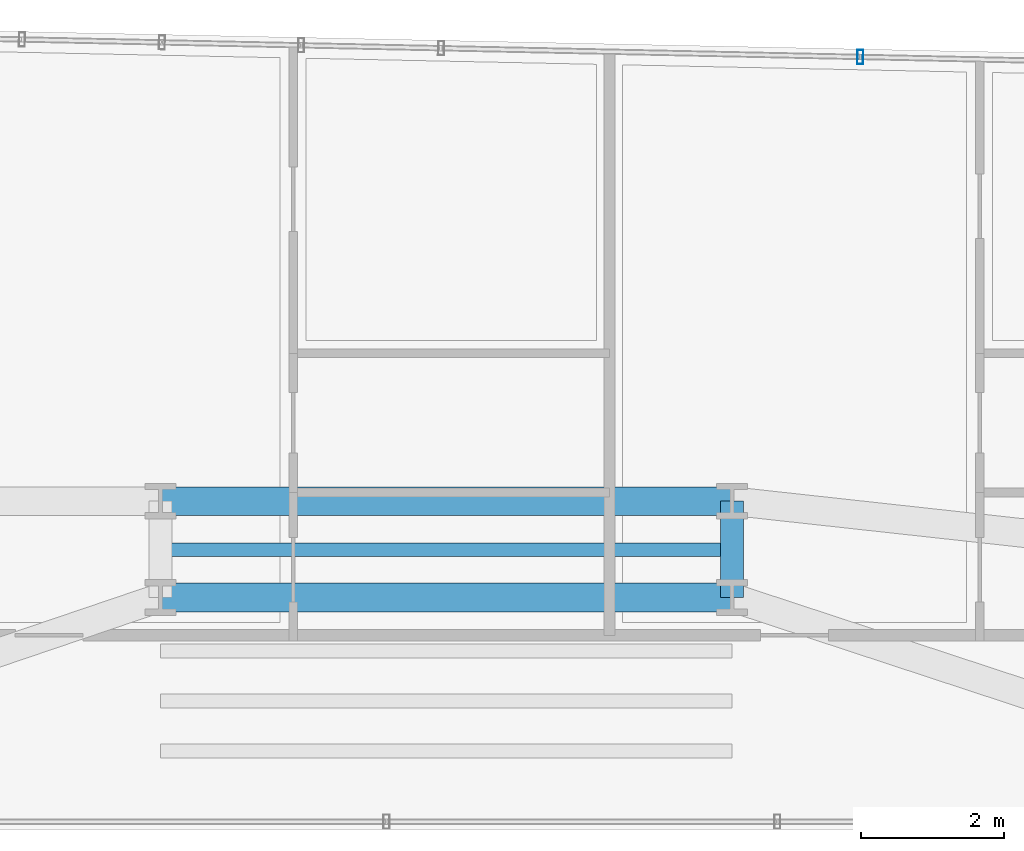
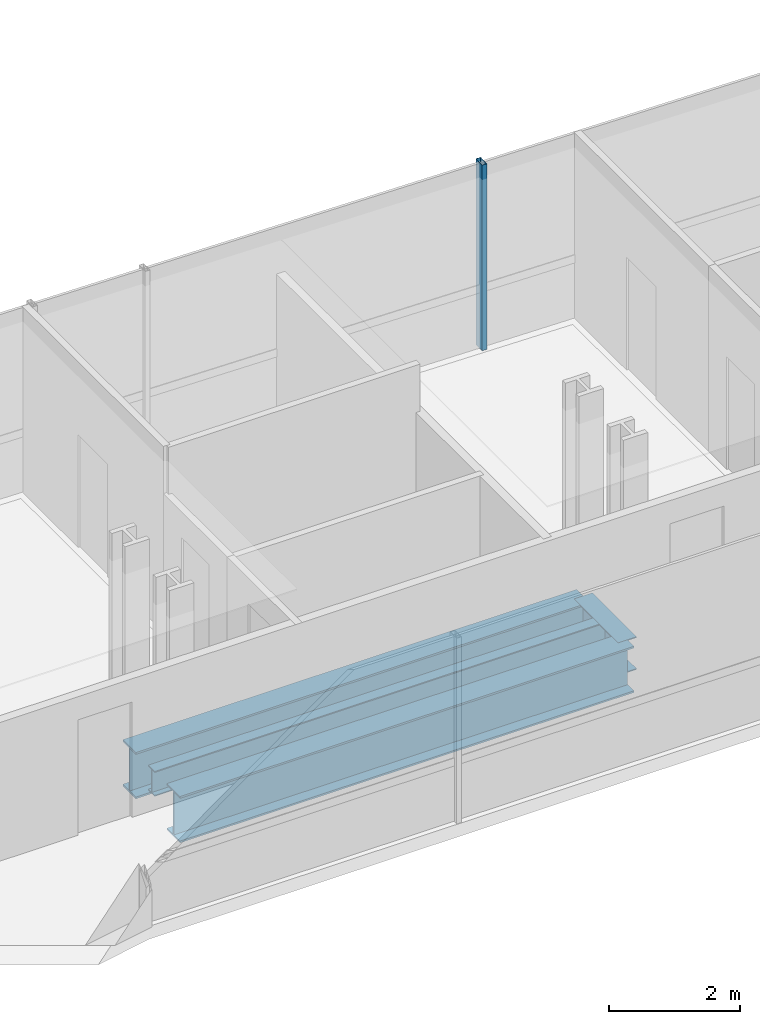
# One storey, part 21 of 41: 4 beams, 1 member, 1 element without a shape of its own.
"""IFC4 building model written with IfcOpenShell, lengths in metres."""

from ifc_helpers import new_model, si_unit, direction, frame, origin, origin_2d, place, context, subcontext, project, spatial, hollow_rectangle, i_section, extrude, source, transform, mapped, material, material_profile, profile_set, type_object, element, aggregate, save


model = new_model("IFC4")

# Units and contexts
model_context = context("Model", 3, precision=1e-05, world=origin(), true_north=direction((0.0, 1.0)))
body_context = subcontext(model_context, "Body", "Model", "MODEL_VIEW")
ifc_project = project(units=[si_unit("LENGTHUNIT", "METRE"), si_unit("AREAUNIT", "SQUARE_METRE"), si_unit("VOLUMEUNIT", "CUBIC_METRE"), si_unit("PLANEANGLEUNIT", "RADIAN"), si_unit("MASSUNIT", "GRAM", prefix="KILO")], contexts=[model_context])

# Site, building, storey
site_placement = place(None, origin())
site = spatial("IfcSite", under=ifc_project, at=site_placement, CompositionType="ELEMENT")
building_placement = place(site_placement, origin())
building = spatial("IfcBuilding", under=site, at=building_placement, Name="Valdorenza Pilgrim Sanctuary Tower", CompositionType="ELEMENT")
storey_placement = place(building_placement, frame((0.0, 0.0, 59.300048828125)))
storey = spatial("IfcBuildingStorey", under=building, at=storey_placement, Name="L14", CompositionType="ELEMENT", Elevation=59.300048828125)

# Beams
ifc_material_1 = material(Name="Steel ASTM A992 Grade 50", Category="steel")
ifc_material_profile_1 = material_profile(ifc_material_1, i_section(OverallWidth=0.39990234375, OverallDepth=0.862060546875, WebThickness=0.019775390625, FlangeThickness=0.032470703125, at=origin_2d()), Name="W33X221")
ifc_profile_set_1 = profile_set([ifc_material_profile_1], Name="Steel ASTM A992 Grade 50")
beam_type_1 = type_object("IfcBeamType", Name="STR-BM-GRD-W33", PredefinedType="BEAM", material=ifc_profile_set_1)
shared_shape_1 = source(origin(), body_context, "Body", "SweptSolid", [
    extrude(i_section(OverallWidth=0.39990234375, OverallDepth=0.862060546875, WebThickness=0.019775390625, FlangeThickness=0.032470703125, at=origin_2d()), origin(), (0.0, 0.0, 1.0), 8.0),
])
for number, where, z_axis, x_axis, name in (
    (1, (-4.0, 13.449951171875, -0.671142578125), (1.0, 0.0, 0.0), (0.0, 1.0, 0.0), "L14 Floor Girder KNK-G2"),
    (2, (-4.0, 14.800048828125, -0.671142578125), (1.0, 0.0, 0.0), (0.0, 1.0, 0.0), "L14 Floor Girder KNK-G5"),
):
    element("IfcBeam", number, at=place(storey_placement, frame(where, z_axis=z_axis, x_axis=x_axis)), inside=storey, type_object=beam_type_1, Name=name, PredefinedType="BEAM", context=body_context, shape_type="MappedRepresentation", body=[
        mapped(shared_shape_1, transform((0.0, 0.0, 0.0), x_axis=(1.0, 0.0, 0.0), y_axis=(0.0, 1.0, 0.0), z_axis=(0.0, 0.0, 1.0), scale=1.0)),
    ])
ifc_material_profile_2 = material_profile(ifc_material_1, i_section(OverallWidth=0.323974609375, OverallDepth=0.611083984375, WebThickness=0.0126953125, FlangeThickness=0.01904296875, at=origin_2d()), Name="W24X104")
ifc_profile_set_2 = profile_set([ifc_material_profile_2], Name="Steel ASTM A992 Grade 50")
beam_type_2 = type_object("IfcBeamType", Name="STR-BM-GRD-W24B", PredefinedType="BEAM", material=ifc_profile_set_2)
shared_shape_2 = source(origin(), body_context, "Body", "SweptSolid", [
    extrude(i_section(OverallWidth=0.323974609375, OverallDepth=0.611083984375, WebThickness=0.0126953125, FlangeThickness=0.01904296875, at=origin_2d()), origin(), (0.0, 0.0, 1.0), 1.35009765625),
])
beam_1_placement = place(storey_placement, frame((4.0, 13.449951171875, -0.545654296875), z_axis=(0.0, 1.0, 0.0), x_axis=(-1.0, 0.0, 0.0)))
element("IfcBeam", 3, at=beam_1_placement, inside=storey, type_object=beam_type_2, Name="L14 Floor Girder KNK-TIE-E", PredefinedType="BEAM", context=body_context, shape_type="MappedRepresentation", body=[
    mapped(shared_shape_2, transform((0.0, 0.0, 0.0), x_axis=(1.0, 0.0, 0.0), y_axis=(0.0, 1.0, 0.0), z_axis=(0.0, 0.0, 1.0), scale=1.0)),
])
ifc_material_profile_3 = material_profile(ifc_material_1, i_section(OverallWidth=0.193115234375, OverallDepth=0.466064453125, WebThickness=0.011474609375, FlangeThickness=0.01904296875, at=origin_2d()), Name="W18X65")
ifc_profile_set_3 = profile_set([ifc_material_profile_3], Name="Steel ASTM A992 Grade 50")
beam_type_3 = type_object("IfcBeamType", Name="STR-BM-JST-W18A", PredefinedType="JOIST", material=ifc_profile_set_3)
shared_shape_3 = source(origin(), body_context, "Body", "SweptSolid", [
    extrude(i_section(OverallWidth=0.193115234375, OverallDepth=0.466064453125, WebThickness=0.011474609375, FlangeThickness=0.01904296875, at=origin_2d()), origin(), (0.0, 0.0, 1.0), 8.0),
])
beam_2_placement = place(storey_placement, frame((-4.0, 14.1201171875, -0.47314453125), z_axis=(1.0, 0.0, 0.0), x_axis=(0.0, 1.0, 0.0)))
element("IfcBeam", 4, at=beam_2_placement, inside=storey, type_object=beam_type_3, Name="L14 Knuckle Composite Joist JST-KNK-4", PredefinedType="JOIST", context=body_context, shape_type="MappedRepresentation", body=[
    mapped(shared_shape_3, transform((0.0, 0.0, 0.0), x_axis=(1.0, 0.0, 0.0), y_axis=(0.0, 1.0, 0.0), z_axis=(0.0, 0.0, 1.0), scale=1.0)),
])

# Curtain wall, member
ifc_material_2 = material(Name="Curtain-wall IGU glazing", Category="glass")
curtain_wall_type = type_object("IfcCurtainWallType", Name="CW-SYS-02", PredefinedType="NOTDEFINED", material=ifc_material_2)
curtain_wall_placement = place(storey_placement, origin())
curtain_wall = element("IfcCurtainWall", 5, at=curtain_wall_placement, inside=storey, type_object=curtain_wall_type, Name="L14 Curtain Wall CW-L14-1-11", PredefinedType="NOTDEFINED")
ifc_material_3 = material(Name="Anodised aluminium AW-6060", Category="aluminium")
ifc_material_profile_4 = material_profile(ifc_material_3, hollow_rectangle(XDim=0.0849609375, YDim=0.199951171875, WallThickness=0.0048828125, at=origin_2d()), Name="ALU-M 200x85x5")
ifc_profile_set_4 = profile_set([ifc_material_profile_4], Name="Anodised aluminium AW-6060")
member_type = type_object("IfcMemberType", Name="CW-MUL-02", PredefinedType="MULLION", material=ifc_profile_set_4)
shared_shape_4 = source(origin(), body_context, "Body", "SweptSolid", [
    extrude(hollow_rectangle(XDim=0.0849609375, YDim=0.199951171875, WallThickness=0.0048828125, at=origin_2d()), origin(), (0.0, 0.0, 1.0), 3.4599609375),
])
member_placement = place(storey_placement, frame((5.797119140625, 21.019287109375, 0.0), z_axis=(0.0, 0.0, 1.0), x_axis=(0.999783234613, -0.020820273474, 0.0)))
member = element("IfcMember", 6, at=member_placement, type_object=member_type, Name="CW-L14-1-11 Mullion 4", PredefinedType="MULLION", context=body_context, shape_type="MappedRepresentation", body=[
    mapped(shared_shape_4, transform((0.0, 0.0, 0.0), x_axis=(1.0, 0.0, 0.0), y_axis=(0.0, 1.0, 0.0), z_axis=(0.0, 0.0, 1.0), scale=1.0)),
])
aggregate(curtain_wall, [member])

save(model, "model.ifc")
